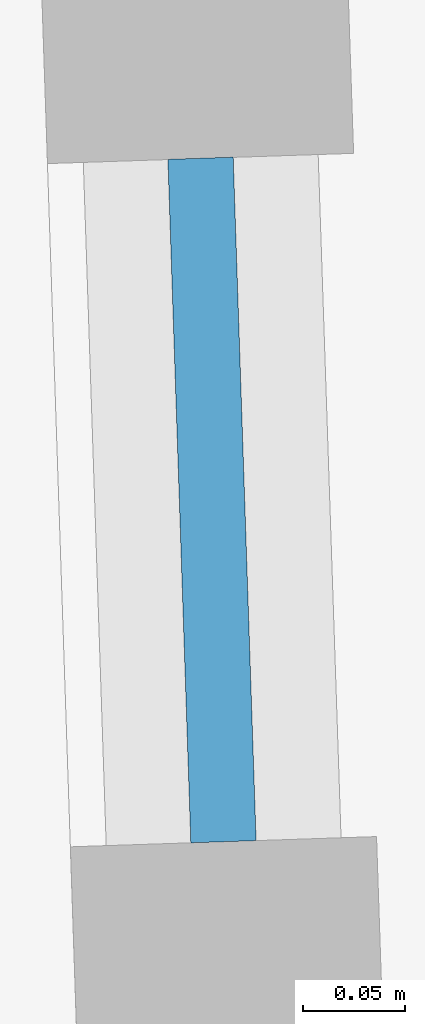
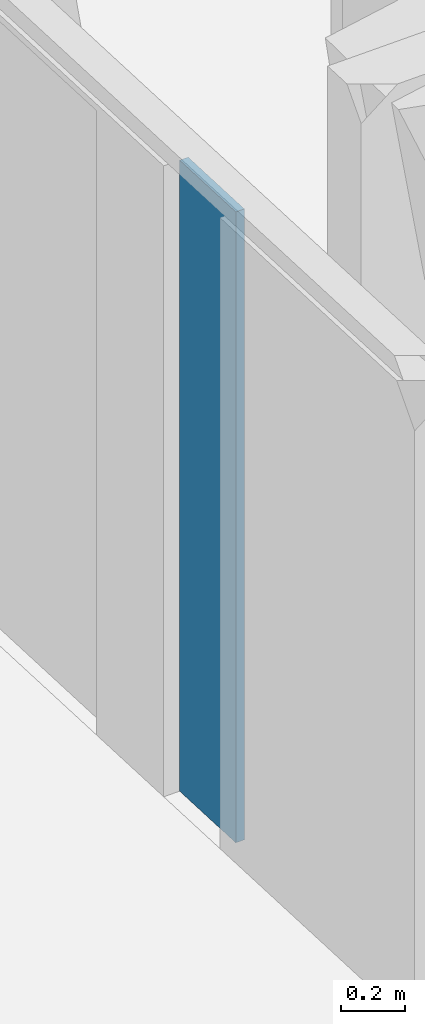
# One storey, part 15 of 27: 1 plate, 1 element without a shape of its own.
"""IFC4 building model written with IfcOpenShell, lengths in metres."""

from ifc_helpers import new_model, si_unit, direction, frame, origin, origin_2d, place, context, subcontext, project, spatial, rectangle, extrude, material, layer, layer_set, type_object, element, aggregate, save


model = new_model("IFC4")

# Units and contexts
model_context = context("Model", 3, precision=1e-05, world=origin(), true_north=direction((0.0, 1.0)))
body_context = subcontext(model_context, "Body", "Model", "MODEL_VIEW")
ifc_project = project(units=[si_unit("LENGTHUNIT", "METRE"), si_unit("AREAUNIT", "SQUARE_METRE"), si_unit("VOLUMEUNIT", "CUBIC_METRE"), si_unit("PLANEANGLEUNIT", "RADIAN"), si_unit("MASSUNIT", "GRAM", prefix="KILO")], contexts=[model_context])

# Site, building, storey
site_placement = place(None, origin())
site = spatial("IfcSite", under=ifc_project, at=site_placement, CompositionType="ELEMENT")
building_placement = place(site_placement, origin())
building = spatial("IfcBuilding", under=site, at=building_placement, Name="Verdalira Terraces Hotel", CompositionType="ELEMENT")
storey_placement = place(building_placement, frame((0.0, 0.0, 42.5)))
storey = spatial("IfcBuildingStorey", under=building, at=storey_placement, Name="L08", CompositionType="ELEMENT", Elevation=42.5)

# Curtain wall, plate
ifc_material_1 = material(Name="Clear glass", Category="glass")
ifc_layer_1 = layer(ifc_material_1, 0.14990234375)
ifc_layer_set_1 = layer_set([ifc_layer_1], Name="CW2 curtain wall")
curtain_wall_type = type_object("IfcCurtainWallType", Name="CW2 curtain wall", PredefinedType="NOTDEFINED", material=ifc_layer_set_1)
curtain_wall_placement = place(storey_placement, origin())
curtain_wall = element("IfcCurtainWall", 1, at=curtain_wall_placement, inside=storey, type_object=curtain_wall_type, Name="CW2 curtain wall L08 edge 10", PredefinedType="NOTDEFINED")
ifc_material_2 = material(Name="Clear glass", Category="glass")
ifc_layer_2 = layer(ifc_material_2, 0.031982421875)
ifc_layer_set_2 = layer_set([ifc_layer_2], Name="CW2 glass unit 32")
plate_type = type_object("IfcPlateType", Name="CW2 glass unit 32", PredefinedType="CURTAIN_PANEL", material=ifc_layer_set_2)
plate_placement = place(storey_placement, frame((-7.637207, 36.052002, 0.0), z_axis=(0.0, 0.0, 1.0), x_axis=(0.03350405, -0.999438582, 0.0)))
plate = element("IfcPlate", 2, at=plate_placement, type_object=plate_type, Name="CW2 glass unit", PredefinedType="CURTAIN_PANEL", context=body_context, shape_type="SweptSolid", body=[
    extrude(rectangle(XDim=0.334717, YDim=0.031982, at=origin_2d()), origin(), (0.0, 0.0, 1.0), 2.425049),
])
aggregate(curtain_wall, [plate])

save(model, "model.ifc")
